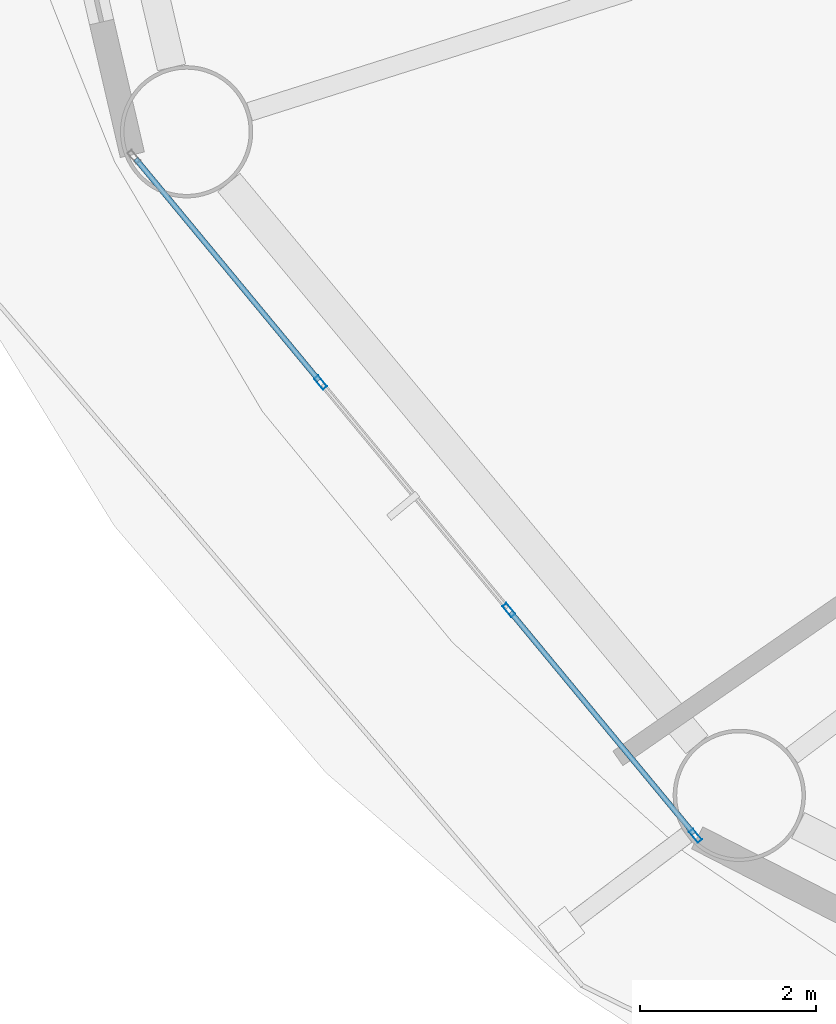
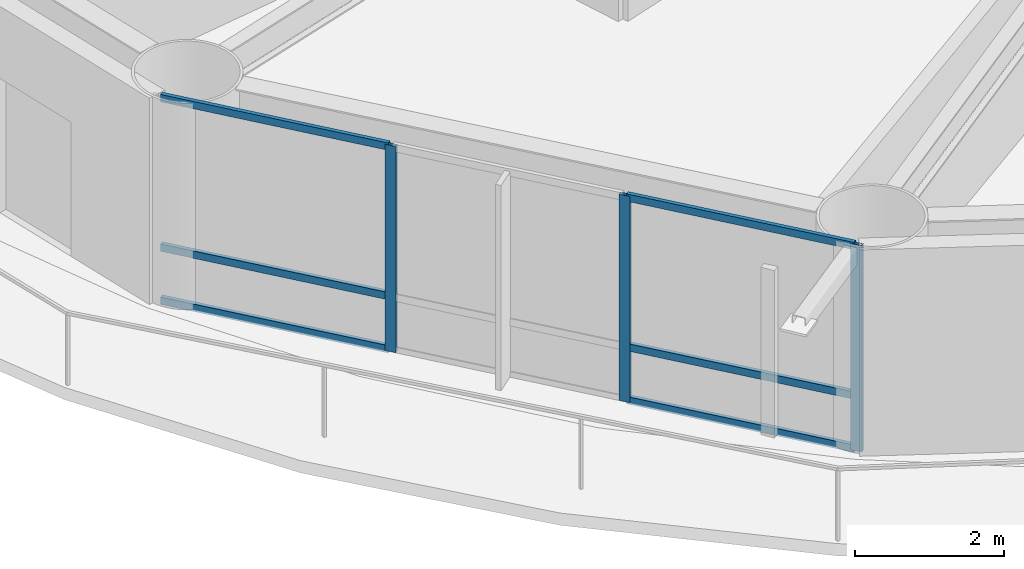
# One storey, part 2 of 26: 9 members, 1 element without a shape of its own.
"""IFC4 building model written with IfcOpenShell, lengths in metres."""

from ifc_helpers import new_model, si_unit, direction, frame, origin, origin_2d, place, context, subcontext, project, spatial, hollow_rectangle, extrude, material, layer, layer_set, material_profile, profile_set, type_object, element, aggregate, save


model = new_model("IFC4")

# Units and contexts
model_context = context("Model", 3, precision=1e-05, world=origin(), true_north=direction((0.0, 1.0)))
body_context = subcontext(model_context, "Body", "Model", "MODEL_VIEW")
ifc_project = project(units=[si_unit("LENGTHUNIT", "METRE"), si_unit("AREAUNIT", "SQUARE_METRE"), si_unit("VOLUMEUNIT", "CUBIC_METRE"), si_unit("PLANEANGLEUNIT", "RADIAN"), si_unit("MASSUNIT", "GRAM", prefix="KILO")], contexts=[model_context])

# Site, building, storey
site_placement = place(None, origin())
site = spatial("IfcSite", under=ifc_project, at=site_placement, CompositionType="ELEMENT")
building_placement = place(site_placement, origin())
building = spatial("IfcBuilding", under=site, at=building_placement, Name="Sarneth Arch Tower", CompositionType="ELEMENT")
storey_placement = place(building_placement, frame((0.0, 0.0, 64.199951171875)))
storey = spatial("IfcBuildingStorey", under=building, at=storey_placement, Name="L15", CompositionType="ELEMENT", Elevation=64.199951171875)

# Curtain wall, members
ifc_material_1 = material(Name="Anodised aluminium Type AA25 and solar-control low-e laminated IGU", Category="aluminium")
ifc_layer = layer(ifc_material_1, 0.159912109375)
ifc_layer_set = layer_set([ifc_layer], Name="Anodised aluminium Type AA25 and solar-control low-e laminated IGU")
curtain_wall_type = type_object("IfcCurtainWallType", Name="CW-HOTEL-LOW", PredefinedType="NOTDEFINED", material=ifc_layer_set)
curtain_wall_placement = place(storey_placement, origin())
curtain_wall = element("IfcCurtainWall", 1, at=curtain_wall_placement, inside=storey, type_object=curtain_wall_type, Name="L15 Unitised curtain wall facet 10", PredefinedType="NOTDEFINED")
ifc_material_2 = material(Name="Anodised Aluminium 6063-T6", Category="aluminium")
ifc_material_profile_1 = material_profile(ifc_material_2, hollow_rectangle(XDim=0.06005859375, YDim=0.159912109375, WallThickness=0.00390625, at=origin_2d()), Name="AL-MULL-160x60x4")
ifc_profile_set_1 = profile_set([ifc_material_profile_1], Name="Anodised Aluminium 6063-T6")
member_type_1 = type_object("IfcMemberType", Name="CW-MULLION", PredefinedType="MULLION", material=ifc_profile_set_1)
member_1_placement = place(storey_placement, frame((21.5546875, 30.279052734375, 0.0), z_axis=(0.0, 0.0, 1.0), x_axis=(0.770622960278, 0.637291340827, 0.0)))
member_1 = element("IfcMember", 2, at=member_1_placement, type_object=member_type_1, Name="CW-SYS-3 mullion 2", PredefinedType="MULLION", context=body_context, shape_type="SweptSolid", body=[
    extrude(hollow_rectangle(XDim=0.06005859375, YDim=0.159912109375, WallThickness=0.00390625, at=origin_2d()), origin(), (0.0, 0.0, 1.0), 3.380126953125),
])
member_2_placement = place(storey_placement, frame((23.690185546875, 27.69677734375, 0.0), z_axis=(0.0, 0.0, 1.0), x_axis=(0.770622960278, 0.637291340827, 0.0)))
member_2 = element("IfcMember", 3, at=member_2_placement, type_object=member_type_1, Name="CW-SYS-3 mullion 3", PredefinedType="MULLION", context=body_context, shape_type="SweptSolid", body=[
    extrude(hollow_rectangle(XDim=0.06005859375, YDim=0.159912109375, WallThickness=0.00390625, at=origin_2d()), origin(), (0.0, 0.0, 1.0), 3.380126953125),
])
member_3_placement = place(storey_placement, frame((25.806640625, 25.137451171875, 0.0), z_axis=(0.0, 0.0, 1.0), x_axis=(0.770622960278, 0.637291340827, 0.0)))
member_3 = element("IfcMember", 4, at=member_3_placement, type_object=member_type_1, Name="CW-SYS-3 mullion 4", PredefinedType="MULLION", context=body_context, shape_type="SweptSolid", body=[
    extrude(hollow_rectangle(XDim=0.06005859375, YDim=0.159912109375, WallThickness=0.00390625, at=origin_2d()), origin(), (0.0, 0.0, 1.0), 3.380126953125),
])
ifc_material_3 = material(Name="Anodised Aluminium 6063-T6", Category="aluminium")
ifc_material_profile_2 = material_profile(ifc_material_3, hollow_rectangle(XDim=0.06005859375, YDim=0.1201171875, WallThickness=0.00390625, at=origin_2d()), Name="AL-TRAN-120x60x4")
ifc_profile_set_2 = profile_set([ifc_material_profile_2], Name="Anodised Aluminium 6063-T6")
member_type_2 = type_object("IfcMemberType", Name="CW-TRANSOM", PredefinedType="USERDEFINED", material=ifc_profile_set_2)
member_4_placement = place(storey_placement, frame((19.457275390625, 32.815185546875, 0.030029296875), z_axis=(0.63733019572, -0.77059082633, 0.0), x_axis=(0.77059082633, 0.63733019572, 0.0)))
member_4 = element("IfcMember", 5, at=member_4_placement, type_object=member_type_2, Name="CW-SYS-3 transom 1.1", ObjectType="TRANSOM", PredefinedType="USERDEFINED", context=body_context, shape_type="SweptSolid", body=[
    extrude(hollow_rectangle(XDim=0.06005859375, YDim=0.1201171875, WallThickness=0.00390625, at=origin_2d()), origin(), (0.0, 0.0, 1.0), 3.260986328125),
])
member_5_placement = place(storey_placement, frame((19.457275390625, 32.815185546875, 0.900146484375), z_axis=(0.63733019572, -0.77059082633, 0.0), x_axis=(0.77059082633, 0.63733019572, 0.0)))
member_5 = element("IfcMember", 6, at=member_5_placement, type_object=member_type_2, Name="CW-SYS-3 transom 1.2", ObjectType="TRANSOM", PredefinedType="USERDEFINED", context=body_context, shape_type="SweptSolid", body=[
    extrude(hollow_rectangle(XDim=0.06005859375, YDim=0.1201171875, WallThickness=0.00390625, at=origin_2d()), origin(), (0.0, 0.0, 1.0), 3.260986328125),
])
member_6_placement = place(storey_placement, frame((19.457275390625, 32.815185546875, 3.35009765625), z_axis=(0.63733019572, -0.77059082633, 0.0), x_axis=(0.77059082633, 0.63733019572, 0.0)))
member_6 = element("IfcMember", 7, at=member_6_placement, type_object=member_type_2, Name="CW-SYS-3 transom 1.3", ObjectType="TRANSOM", PredefinedType="USERDEFINED", context=body_context, shape_type="SweptSolid", body=[
    extrude(hollow_rectangle(XDim=0.06005859375, YDim=0.1201171875, WallThickness=0.00390625, at=origin_2d()), origin(), (0.0, 0.0, 1.0), 3.260986328125),
])
member_7_placement = place(storey_placement, frame((23.70947265625, 27.673583984375, 0.030029296875), z_axis=(0.637285736625, -0.770627594817, 0.0), x_axis=(0.770627594817, 0.637285736625, 0.0)))
member_7 = element("IfcMember", 8, at=member_7_placement, type_object=member_type_2, Name="CW-SYS-3 transom 3.1", ObjectType="TRANSOM", PredefinedType="USERDEFINED", context=body_context, shape_type="SweptSolid", body=[
    extrude(hollow_rectangle(XDim=0.06005859375, YDim=0.1201171875, WallThickness=0.00390625, at=origin_2d()), origin(), (0.0, 0.0, 1.0), 3.260986328125),
])
member_8_placement = place(storey_placement, frame((23.70947265625, 27.673583984375, 0.900146484375), z_axis=(0.637285736625, -0.770627594817, 0.0), x_axis=(0.770627594817, 0.637285736625, 0.0)))
member_8 = element("IfcMember", 9, at=member_8_placement, type_object=member_type_2, Name="CW-SYS-3 transom 3.2", ObjectType="TRANSOM", PredefinedType="USERDEFINED", context=body_context, shape_type="SweptSolid", body=[
    extrude(hollow_rectangle(XDim=0.06005859375, YDim=0.1201171875, WallThickness=0.00390625, at=origin_2d()), origin(), (0.0, 0.0, 1.0), 3.260986328125),
])
member_9_placement = place(storey_placement, frame((23.70947265625, 27.673583984375, 3.35009765625), z_axis=(0.637285736625, -0.770627594817, 0.0), x_axis=(0.770627594817, 0.637285736625, 0.0)))
member_9 = element("IfcMember", 10, at=member_9_placement, type_object=member_type_2, Name="CW-SYS-3 transom 3.3", ObjectType="TRANSOM", PredefinedType="USERDEFINED", context=body_context, shape_type="SweptSolid", body=[
    extrude(hollow_rectangle(XDim=0.06005859375, YDim=0.1201171875, WallThickness=0.00390625, at=origin_2d()), origin(), (0.0, 0.0, 1.0), 3.260986328125),
])
aggregate(curtain_wall, [member_1, member_2, member_3, member_4, member_5, member_6, member_7, member_8, member_9])

save(model, "model.ifc")
